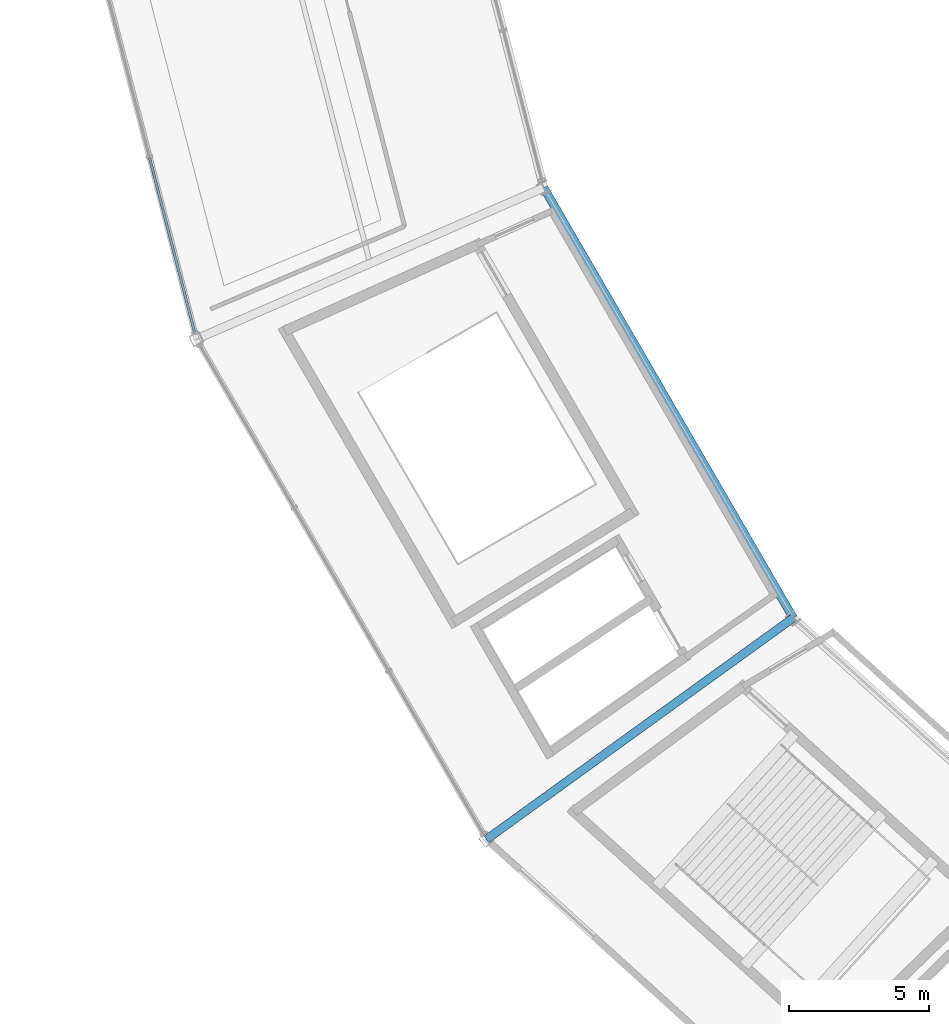
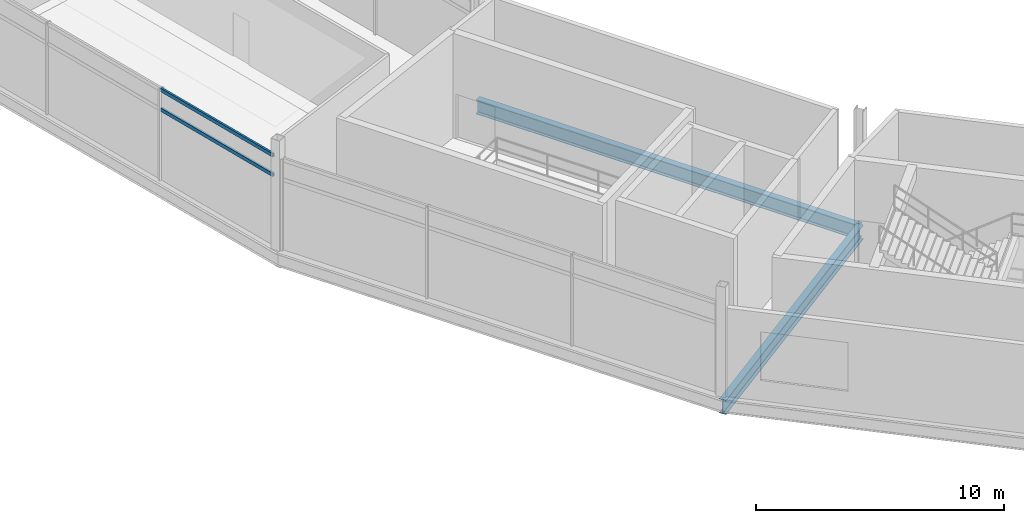
# One storey, part 24 of 86: 2 beams, 2 members, 1 element without a shape of its own.
"""IFC4 building model written with IfcOpenShell, lengths in metres."""

from ifc_helpers import new_model, si_unit, direction, frame, origin, origin_2d, place, context, subcontext, project, spatial, hollow_rectangle, i_section, extrude, material, layer, layer_set, material_profile, profile_set, type_object, element, aggregate, save


model = new_model("IFC4")

# Units and contexts
model_context = context("Model", 3, precision=1e-05, world=origin(), true_north=direction((0.0, 1.0)))
body_context = subcontext(model_context, "Body", "Model", "MODEL_VIEW")
ifc_project = project(units=[si_unit("LENGTHUNIT", "METRE"), si_unit("AREAUNIT", "SQUARE_METRE"), si_unit("VOLUMEUNIT", "CUBIC_METRE"), si_unit("PLANEANGLEUNIT", "RADIAN"), si_unit("MASSUNIT", "GRAM", prefix="KILO")], contexts=[model_context])

# Site, building, storey
site_placement = place(None, origin())
site = spatial("IfcSite", under=ifc_project, at=site_placement, CompositionType="ELEMENT")
building_placement = place(site_placement, origin())
building = spatial("IfcBuilding", under=site, at=building_placement, Name="Kazemori Nagisa Stadium", CompositionType="ELEMENT")
storey_placement = place(building_placement, frame((0.0, 0.0, 31.280029296875)))
storey = spatial("IfcBuildingStorey", under=building, at=storey_placement, Name="L06", CompositionType="ELEMENT", Elevation=31.280029296875)

# Beams
ifc_material_1 = material(Name="Steel SN490B", Category="steel")
ifc_material_profile_1 = material_profile(ifc_material_1, i_section(OverallWidth=0.300048828125, OverallDepth=0.699951171875, WebThickness=0.012939453125, FlangeThickness=0.02392578125, FilletRadius=0.01806640625, at=origin_2d()), Name="H-700x300x13x24")
ifc_profile_set_1 = profile_set([ifc_material_profile_1], Name="Steel SN490B")
beam_type = type_object("IfcBeamType", Name="Beam_BG-H700", PredefinedType="BEAM", material=ifc_profile_set_1)
beam_1_placement = place(storey_placement, frame((46.55908203125, 68.67529296875, -0.610107421875), z_axis=(0.501606704589, -0.865095783085, 0.0), x_axis=(0.865095783085, 0.501606704589, 0.0)))
element("IfcBeam", 1, at=beam_1_placement, inside=storey, type_object=beam_type, Name="Ring girder BG-H700 L06 R2-17", PredefinedType="BEAM", context=body_context, shape_type="SweptSolid", body=[
    extrude(i_section(OverallWidth=0.300048828125, OverallDepth=0.699951171875, WebThickness=0.012939453125, FlangeThickness=0.02392578125, FilletRadius=0.01806640625, at=origin_2d()), origin(), (0.0, 0.0, 1.0), 17.8125),
])
beam_2_placement = place(storey_placement, frame((55.493896484375, 53.265869140625, -0.610107421875), z_axis=(-0.810787509935, -0.585340596349, 0.0), x_axis=(0.585340596349, -0.810787509935, 0.0)))
element("IfcBeam", 2, at=beam_2_placement, inside=storey, type_object=beam_type, Name="Radial girder BG-H700 L06 R2-R3-18", PredefinedType="BEAM", context=body_context, shape_type="SweptSolid", body=[
    extrude(i_section(OverallWidth=0.300048828125, OverallDepth=0.699951171875, WebThickness=0.012939453125, FlangeThickness=0.02392578125, FilletRadius=0.01806640625, at=origin_2d()), origin(), (0.0, 0.0, 1.0), 13.5537109375),
])

# Curtain wall, members
ifc_material_2 = material(Name="Anodised aluminium 6063-T5", Category="aluminium")
ifc_layer = layer(ifc_material_2, 0.239990234375, Name="Anodised aluminium 6063-T5", Category="aluminium")
ifc_layer_set = layer_set([ifc_layer], Name="Anodised aluminium 6063-T5")
curtain_wall_type = type_object("IfcCurtainWallType", Name="CW_L06R3_98", PredefinedType="USERDEFINED", material=ifc_layer_set)
curtain_wall_placement = place(storey_placement, origin())
curtain_wall = element("IfcCurtainWall", 3, at=curtain_wall_placement, inside=storey, type_object=curtain_wall_type, Name="Unitised curtain wall CW-L06R3-98 L06", ObjectType="UNITISED CURTAIN WALL", PredefinedType="USERDEFINED")
ifc_material_3 = material(Name="Aluminium 6063-T5 anodised", Category="aluminium")
ifc_material_profile_2 = material_profile(ifc_material_3, hollow_rectangle(XDim=0.090087890625, YDim=0.179931640625, WallThickness=0.0048828125, at=origin_2d()), Name="ALU-TRAN-90x180x5")
ifc_profile_set_2 = profile_set([ifc_material_profile_2], Name="Aluminium 6063-T5 anodised")
member_type = type_object("IfcMemberType", Name="Transom_T03", PredefinedType="USERDEFINED", material=ifc_profile_set_2)
member_1_placement = place(storey_placement, frame((32.435302734375, 69.757568359375, 3.47265625), z_axis=(0.249938546287, -0.968261701752, 0.0), x_axis=(0.968261701752, 0.249938546287, 0.0)))
member_1 = element("IfcMember", 4, at=member_1_placement, type_object=member_type, Name="Curtain wall transom CW-L06R3-98-T3-mid", ObjectType="TRANSOM", PredefinedType="USERDEFINED", context=body_context, shape_type="SweptSolid", body=[
    extrude(hollow_rectangle(XDim=0.090087890625, YDim=0.179931640625, WallThickness=0.0048828125, at=origin_2d()), origin(), (0.0, 0.0, 1.0), 6.465576171875),
])
member_2_placement = place(storey_placement, frame((32.435302734375, 69.757568359375, 4.43994140625), z_axis=(0.249938546287, -0.968261701752, 0.0), x_axis=(0.968261701752, 0.249938546287, 0.0)))
member_2 = element("IfcMember", 5, at=member_2_placement, type_object=member_type, Name="Curtain wall transom CW-L06R3-98-T3-head", ObjectType="TRANSOM", PredefinedType="USERDEFINED", context=body_context, shape_type="SweptSolid", body=[
    extrude(hollow_rectangle(XDim=0.090087890625, YDim=0.179931640625, WallThickness=0.0048828125, at=origin_2d()), origin(), (0.0, 0.0, 1.0), 6.465576171875),
])
aggregate(curtain_wall, [member_1, member_2])

save(model, "model.ifc")
